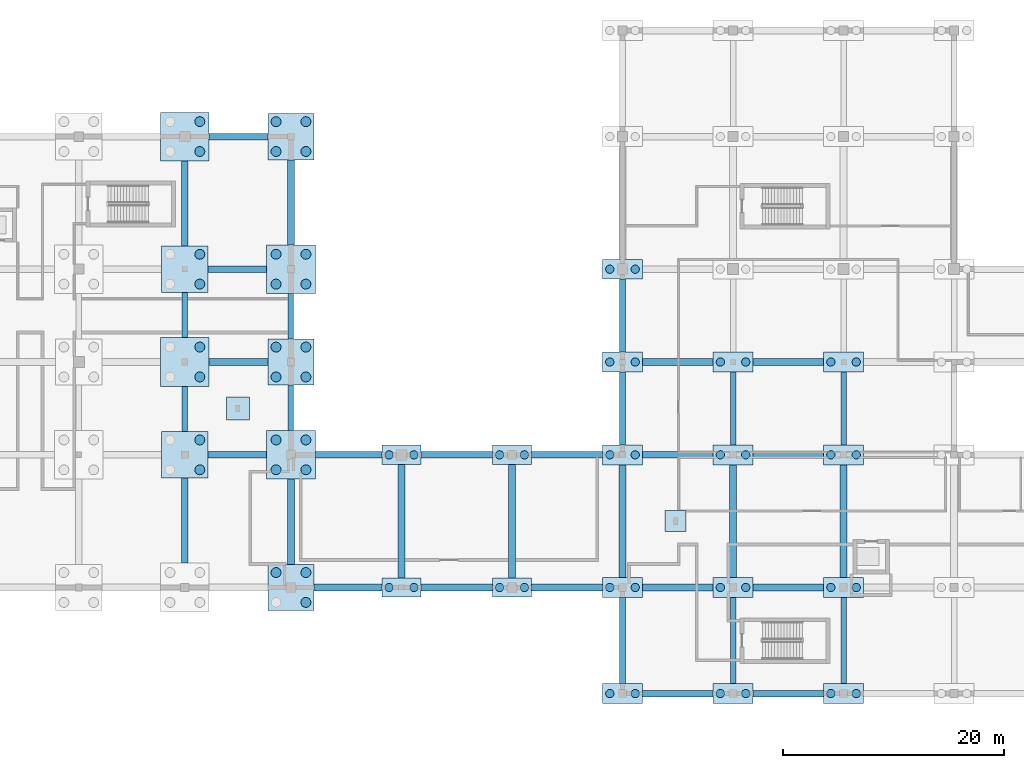
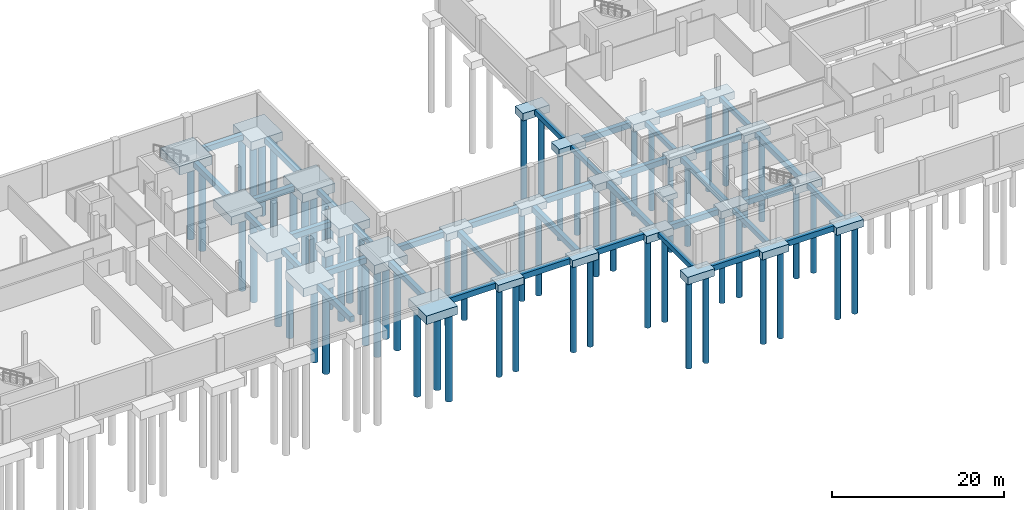
# One storey, part 4 of 28: 66 footings, 61 piles.
"""IFC4 building model written with IfcOpenShell, lengths in metres."""

from ifc_helpers import new_model, si_unit, direction, frame, origin, origin_2d, place, context, subcontext, project, spatial, rectangle, circle, extrude, material, layer, layer_set, material_profile, profile_set, type_object, element, save


model = new_model("IFC4")

# Units and contexts
model_context = context("Model", 3, precision=1e-05, world=origin(), true_north=direction((0.0, 1.0)))
body_context = subcontext(model_context, "Body", "Model", "MODEL_VIEW")
ifc_project = project(units=[si_unit("LENGTHUNIT", "METRE"), si_unit("AREAUNIT", "SQUARE_METRE"), si_unit("VOLUMEUNIT", "CUBIC_METRE"), si_unit("PLANEANGLEUNIT", "RADIAN"), si_unit("MASSUNIT", "GRAM", prefix="KILO")], contexts=[model_context])

# Site, building, storey
site_placement = place(None, origin())
site = spatial("IfcSite", under=ifc_project, at=site_placement, CompositionType="ELEMENT")
building_placement = place(site_placement, origin())
building = spatial("IfcBuilding", under=site, at=building_placement, Name="Zereglee Splitstone Museum", CompositionType="ELEMENT")
storey_placement = place(building_placement, frame((0.0, 0.0, -4.800048828125)))
storey = spatial("IfcBuildingStorey", under=building, at=storey_placement, Name="B1", CompositionType="ELEMENT", Elevation=-4.800048828125)

# Footings
ifc_material = material(Name="Concrete C40/50", Category="concrete")
footing_type_1 = type_object("IfcFootingType", Name="FB-03", PredefinedType="FOOTING_BEAM", material=ifc_material)
for number, where, z_axis, x_axis, name in (
    (1, (135.60009765625, 25.75, -1.14990234375), (0.0, 0.0, 1.0), (0.0, 1.0, 0.0), "Ground Tie Beam FBY-184"),
    (2, (135.60009765625, 34.25, -1.14990234375), (0.0, 0.0, 1.0), (0.0, 1.0, 0.0), "Ground Tie Beam FBY-185"),
    (3, (145.199951171875, 25.85009765625, -1.14990234375), (0.0, 0.0, 1.0), (0.0, 1.0, 0.0), "Ground Tie Beam FBY-188"),
    (4, (145.199951171875, 34.14990234375, -1.14990234375), (0.0, 0.0, 1.0), (0.0, 1.0, 0.0), "Ground Tie Beam FBY-189"),
):
    element("IfcFooting", number, at=place(storey_placement, frame(where, z_axis=z_axis, x_axis=x_axis)), inside=storey, type_object=footing_type_1, Name=name, PredefinedType="FOOTING_BEAM", context=body_context, shape_type="SweptSolid", body=[
        extrude(rectangle(XDim=4.10009765625, YDim=0.5, at=origin_2d()), origin(), (0.0, 0.0, 1.0), 0.699951171875),
    ])
footing_1_placement = place(storey_placement, frame((175.199951171875, 4.800048828125, -1.14990234375), z_axis=(0.0, 0.0, 1.0), x_axis=(0.0, 1.0, 0.0)))
element("IfcFooting", 5, at=footing_1_placement, inside=storey, type_object=footing_type_1, Name="Ground Tie Beam FBY-193", PredefinedType="FOOTING_BEAM", context=body_context, shape_type="SweptSolid", body=[
    extrude(rectangle(XDim=7.800048828125, YDim=0.5, at=origin_2d()), origin(), (0.0, 0.0, 1.0), 0.699951171875),
])
for number, where, z_axis, x_axis, name in (
    (6, (175.199951171875, 25.800048828125, -1.14990234375), (0.0, 0.0, 1.0), (0.0, 1.0, 0.0), "Ground Tie Beam FBY-195"),
    (7, (175.199951171875, 34.199951171875, -1.14990234375), (0.0, 0.0, 1.0), (0.0, 1.0, 0.0), "Ground Tie Beam FBY-196"),
):
    element("IfcFooting", number, at=place(storey_placement, frame(where, z_axis=z_axis, x_axis=x_axis)), inside=storey, type_object=footing_type_1, Name=name, PredefinedType="FOOTING_BEAM", context=body_context, shape_type="SweptSolid", body=[
        extrude(rectangle(XDim=6.60009765625, YDim=0.5, at=origin_2d()), origin(), (0.0, 0.0, 1.0), 0.699951171875),
    ])
footing_2_placement = place(storey_placement, frame((185.199951171875, 4.800048828125, -1.14990234375), z_axis=(0.0, 0.0, 1.0), x_axis=(0.0, 1.0, 0.0)))
element("IfcFooting", 8, at=footing_2_placement, inside=storey, type_object=footing_type_1, Name="Ground Tie Beam FBY-199", PredefinedType="FOOTING_BEAM", context=body_context, shape_type="SweptSolid", body=[
    extrude(rectangle(XDim=7.800048828125, YDim=0.5, at=origin_2d()), origin(), (0.0, 0.0, 1.0), 0.699951171875),
])
footing_3_placement = place(storey_placement, frame((185.199951171875, 25.800048828125, -1.14990234375), z_axis=(0.0, 0.0, 1.0), x_axis=(0.0, 1.0, 0.0)))
element("IfcFooting", 9, at=footing_3_placement, inside=storey, type_object=footing_type_1, Name="Ground Tie Beam FBY-201", PredefinedType="FOOTING_BEAM", context=body_context, shape_type="SweptSolid", body=[
    extrude(rectangle(XDim=6.60009765625, YDim=0.5, at=origin_2d()), origin(), (0.0, 0.0, 1.0), 0.699951171875),
])
footing_4_placement = place(storey_placement, frame((195.199951171875, 4.800048828125, -1.14990234375), z_axis=(0.0, 0.0, 1.0), x_axis=(0.0, 1.0, 0.0)))
element("IfcFooting", 10, at=footing_4_placement, inside=storey, type_object=footing_type_1, Name="Ground Tie Beam FBY-205", PredefinedType="FOOTING_BEAM", context=body_context, shape_type="SweptSolid", body=[
    extrude(rectangle(XDim=7.800048828125, YDim=0.5, at=origin_2d()), origin(), (0.0, 0.0, 1.0), 0.699951171875),
])
footing_5_placement = place(storey_placement, frame((195.199951171875, 25.800048828125, -1.14990234375), z_axis=(0.0, 0.0, 1.0), x_axis=(0.0, 1.0, 0.0)))
element("IfcFooting", 11, at=footing_5_placement, inside=storey, type_object=footing_type_1, Name="Ground Tie Beam FBY-207", PredefinedType="FOOTING_BEAM", context=body_context, shape_type="SweptSolid", body=[
    extrude(rectangle(XDim=6.60009765625, YDim=0.5, at=origin_2d()), origin(), (0.0, 0.0, 1.0), 0.699951171875),
])
footing_type_2 = type_object("IfcFootingType", Name="FB-02", PredefinedType="FOOTING_BEAM", material=ifc_material)
for number, where, z_axis, x_axis, name in (
    (12, (180.199951171875, 0.0, -1.25), (0.0, 0.0, 1.0), (1.0, 0.0, 0.0), "Ground Tie Beam FBX-005"),
    (13, (190.199951171875, 0.0, -1.25), (0.0, 0.0, 1.0), (1.0, 0.0, 0.0), "Ground Tie Beam FBX-006"),
):
    element("IfcFooting", number, at=place(storey_placement, frame(where, z_axis=z_axis, x_axis=x_axis)), inside=storey, type_object=footing_type_2, Name=name, PredefinedType="FOOTING_BEAM", context=body_context, shape_type="SweptSolid", body=[
        extrude(rectangle(XDim=6.39990234375, YDim=0.60009765625, at=origin_2d()), origin(), (0.0, 0.0, 1.0), 0.800048828125),
    ])
footing_6_placement = place(storey_placement, frame((150.375, 9.60009765625, -1.25), z_axis=(0.0, 0.0, 1.0), x_axis=(1.0, 0.0, 0.0)))
element("IfcFooting", 14, at=footing_6_placement, inside=storey, type_object=footing_type_2, Name="Ground Tie Beam FBX-026", PredefinedType="FOOTING_BEAM", context=body_context, shape_type="SweptSolid", body=[
    extrude(rectangle(XDim=6.14990234375, YDim=0.60009765625, at=origin_2d()), origin(), (0.0, 0.0, 1.0), 0.800048828125),
])
footing_7_placement = place(storey_placement, frame((160.199951171875, 9.60009765625, -1.25), z_axis=(0.0, 0.0, 1.0), x_axis=(1.0, 0.0, 0.0)))
element("IfcFooting", 15, at=footing_7_placement, inside=storey, type_object=footing_type_2, Name="Ground Tie Beam FBX-027", PredefinedType="FOOTING_BEAM", context=body_context, shape_type="SweptSolid", body=[
    extrude(rectangle(XDim=6.5, YDim=0.60009765625, at=origin_2d()), origin(), (0.0, 0.0, 1.0), 0.800048828125),
])
footing_8_placement = place(storey_placement, frame((170.175048828125, 9.60009765625, -1.25), z_axis=(0.0, 0.0, 1.0), x_axis=(1.0, 0.0, 0.0)))
element("IfcFooting", 16, at=footing_8_placement, inside=storey, type_object=footing_type_2, Name="Ground Tie Beam FBX-028", PredefinedType="FOOTING_BEAM", context=body_context, shape_type="SweptSolid", body=[
    extrude(rectangle(XDim=6.449951171875, YDim=0.60009765625, at=origin_2d()), origin(), (0.0, 0.0, 1.0), 0.800048828125),
])
for number, where, z_axis, x_axis, name in (
    (17, (180.199951171875, 9.60009765625, -1.25), (0.0, 0.0, 1.0), (1.0, 0.0, 0.0), "Ground Tie Beam FBX-029"),
    (18, (190.199951171875, 9.60009765625, -1.25), (0.0, 0.0, 1.0), (1.0, 0.0, 0.0), "Ground Tie Beam FBX-030"),
):
    element("IfcFooting", number, at=place(storey_placement, frame(where, z_axis=z_axis, x_axis=x_axis)), inside=storey, type_object=footing_type_2, Name=name, PredefinedType="FOOTING_BEAM", context=body_context, shape_type="SweptSolid", body=[
        extrude(rectangle(XDim=6.39990234375, YDim=0.60009765625, at=origin_2d()), origin(), (0.0, 0.0, 1.0), 0.800048828125),
    ])
footing_9_placement = place(storey_placement, frame((140.35009765625, 21.60009765625, -1.25), z_axis=(0.0, 0.0, 1.0), x_axis=(1.0, 0.0, 0.0)))
element("IfcFooting", 19, at=footing_9_placement, inside=storey, type_object=footing_type_2, Name="Ground Tie Beam FBX-046", PredefinedType="FOOTING_BEAM", context=body_context, shape_type="SweptSolid", body=[
    extrude(rectangle(XDim=5.300048828125, YDim=0.60009765625, at=origin_2d()), origin(), (0.0, 0.0, 1.0), 0.800048828125),
])
footing_10_placement = place(storey_placement, frame((150.425048828125, 21.60009765625, -1.25), z_axis=(0.0, 0.0, 1.0), x_axis=(1.0, 0.0, 0.0)))
element("IfcFooting", 20, at=footing_10_placement, inside=storey, type_object=footing_type_2, Name="Ground Tie Beam FBX-047", PredefinedType="FOOTING_BEAM", context=body_context, shape_type="SweptSolid", body=[
    extrude(rectangle(XDim=6.050048828125, YDim=0.60009765625, at=origin_2d()), origin(), (0.0, 0.0, 1.0), 0.800048828125),
])
footing_11_placement = place(storey_placement, frame((160.199951171875, 21.60009765625, -1.25), z_axis=(0.0, 0.0, 1.0), x_axis=(1.0, 0.0, 0.0)))
element("IfcFooting", 21, at=footing_11_placement, inside=storey, type_object=footing_type_2, Name="Ground Tie Beam FBX-048", PredefinedType="FOOTING_BEAM", context=body_context, shape_type="SweptSolid", body=[
    extrude(rectangle(XDim=6.5, YDim=0.60009765625, at=origin_2d()), origin(), (0.0, 0.0, 1.0), 0.800048828125),
])
footing_12_placement = place(storey_placement, frame((170.175048828125, 21.60009765625, -1.25), z_axis=(0.0, 0.0, 1.0), x_axis=(1.0, 0.0, 0.0)))
element("IfcFooting", 22, at=footing_12_placement, inside=storey, type_object=footing_type_2, Name="Ground Tie Beam FBX-049", PredefinedType="FOOTING_BEAM", context=body_context, shape_type="SweptSolid", body=[
    extrude(rectangle(XDim=6.449951171875, YDim=0.60009765625, at=origin_2d()), origin(), (0.0, 0.0, 1.0), 0.800048828125),
])
for number, where, z_axis, x_axis, name in (
    (23, (180.199951171875, 21.60009765625, -1.25), (0.0, 0.0, 1.0), (1.0, 0.0, 0.0), "Ground Tie Beam FBX-050"),
    (24, (190.199951171875, 21.60009765625, -1.25), (0.0, 0.0, 1.0), (1.0, 0.0, 0.0), "Ground Tie Beam FBX-051"),
):
    element("IfcFooting", number, at=place(storey_placement, frame(where, z_axis=z_axis, x_axis=x_axis)), inside=storey, type_object=footing_type_2, Name=name, PredefinedType="FOOTING_BEAM", context=body_context, shape_type="SweptSolid", body=[
        extrude(rectangle(XDim=6.39990234375, YDim=0.60009765625, at=origin_2d()), origin(), (0.0, 0.0, 1.0), 0.800048828125),
    ])
footing_13_placement = place(storey_placement, frame((140.449951171875, 30.0, -1.25), z_axis=(0.0, 0.0, 1.0), x_axis=(1.0, 0.0, 0.0)))
element("IfcFooting", 25, at=footing_13_placement, inside=storey, type_object=footing_type_2, Name="Ground Tie Beam FBX-072", PredefinedType="FOOTING_BEAM", context=body_context, shape_type="SweptSolid", body=[
    extrude(rectangle(XDim=5.300048828125, YDim=0.60009765625, at=origin_2d()), origin(), (0.0, 0.0, 1.0), 0.800048828125),
])
for number, where, z_axis, x_axis, name in (
    (26, (180.199951171875, 30.0, -1.25), (0.0, 0.0, 1.0), (1.0, 0.0, 0.0), "Ground Tie Beam FBX-073"),
    (27, (190.199951171875, 30.0, -1.25), (0.0, 0.0, 1.0), (1.0, 0.0, 0.0), "Ground Tie Beam FBX-074"),
):
    element("IfcFooting", number, at=place(storey_placement, frame(where, z_axis=z_axis, x_axis=x_axis)), inside=storey, type_object=footing_type_2, Name=name, PredefinedType="FOOTING_BEAM", context=body_context, shape_type="SweptSolid", body=[
        extrude(rectangle(XDim=6.39990234375, YDim=0.60009765625, at=origin_2d()), origin(), (0.0, 0.0, 1.0), 0.800048828125),
    ])
for number, where, z_axis, x_axis, name in (
    (28, (140.35009765625, 38.39990234375, -1.25), (0.0, 0.0, 1.0), (1.0, 0.0, 0.0), "Ground Tie Beam FBX-102"),
    (29, (140.449951171875, 50.39990234375, -1.25), (0.0, 0.0, 1.0), (1.0, 0.0, 0.0), "Ground Tie Beam FBX-125"),
):
    element("IfcFooting", number, at=place(storey_placement, frame(where, z_axis=z_axis, x_axis=x_axis)), inside=storey, type_object=footing_type_2, Name=name, PredefinedType="FOOTING_BEAM", context=body_context, shape_type="SweptSolid", body=[
        extrude(rectangle(XDim=5.300048828125, YDim=0.60009765625, at=origin_2d()), origin(), (0.0, 0.0, 1.0), 0.800048828125),
    ])
for number, where, z_axis, x_axis, name in (
    (30, (135.60009765625, 15.64990234375, -1.25), (0.0, 0.0, 1.0), (0.0, 1.0, 0.0), "Ground Tie Beam FBY-183"),
    (31, (135.60009765625, 44.35009765625, -1.25), (0.0, 0.0, 1.0), (0.0, 1.0, 0.0), "Ground Tie Beam FBY-186"),
    (32, (145.199951171875, 15.550048828125, -1.25), (0.0, 0.0, 1.0), (0.0, 1.0, 0.0), "Ground Tie Beam FBY-187"),
    (33, (145.199951171875, 44.449951171875, -1.25), (0.0, 0.0, 1.0), (0.0, 1.0, 0.0), "Ground Tie Beam FBY-190"),
):
    element("IfcFooting", number, at=place(storey_placement, frame(where, z_axis=z_axis, x_axis=x_axis)), inside=storey, type_object=footing_type_2, Name=name, PredefinedType="FOOTING_BEAM", context=body_context, shape_type="SweptSolid", body=[
        extrude(rectangle(XDim=7.699951171875, YDim=0.60009765625, at=origin_2d()), origin(), (0.0, 0.0, 1.0), 0.800048828125),
    ])
for number, where, z_axis, x_axis, name in (
    (34, (155.199951171875, 15.60009765625, -1.25), (0.0, 0.0, 1.0), (0.0, 1.0, 0.0), "Ground Tie Beam FBY-191"),
    (35, (165.199951171875, 15.60009765625, -1.25), (0.0, 0.0, 1.0), (0.0, 1.0, 0.0), "Ground Tie Beam FBY-192"),
):
    element("IfcFooting", number, at=place(storey_placement, frame(where, z_axis=z_axis, x_axis=x_axis)), inside=storey, type_object=footing_type_2, Name=name, PredefinedType="FOOTING_BEAM", context=body_context, shape_type="SweptSolid", body=[
        extrude(rectangle(XDim=10.25, YDim=0.60009765625, at=origin_2d()), origin(), (0.0, 0.0, 1.0), 0.800048828125),
    ])
for number, where, z_axis, x_axis, name in (
    (36, (175.199951171875, 15.60009765625, -1.25), (0.0, 0.0, 1.0), (0.0, 1.0, 0.0), "Ground Tie Beam FBY-194"),
    (37, (185.199951171875, 15.60009765625, -1.25), (0.0, 0.0, 1.0), (0.0, 1.0, 0.0), "Ground Tie Beam FBY-200"),
    (38, (195.199951171875, 15.60009765625, -1.25), (0.0, 0.0, 1.0), (0.0, 1.0, 0.0), "Ground Tie Beam FBY-206"),
):
    element("IfcFooting", number, at=place(storey_placement, frame(where, z_axis=z_axis, x_axis=x_axis)), inside=storey, type_object=footing_type_2, Name=name, PredefinedType="FOOTING_BEAM", context=body_context, shape_type="SweptSolid", body=[
        extrude(rectangle(XDim=10.199951171875, YDim=0.60009765625, at=origin_2d()), origin(), (0.0, 0.0, 1.0), 0.800048828125),
    ])
ifc_layer_1 = layer(ifc_material, 0.75)
ifc_layer_set_1 = layer_set([ifc_layer_1], Name="Concrete C40/50")
footing_type_3 = type_object("IfcFootingType", Name="PF-02", PredefinedType="PAD_FOOTING", material=ifc_layer_set_1)
footing_14_placement = place(storey_placement, frame((180.0, 15.60009765625, -1.199951171875), z_axis=(0.0, 0.0, 1.0), x_axis=(1.0, 0.0, 0.0)))
element("IfcFooting", 39, at=footing_14_placement, inside=storey, type_object=footing_type_3, Name="Interior Portal Pilaster Pad Footing PF5", PredefinedType="PAD_FOOTING", context=body_context, shape_type="SweptSolid", body=[
    extrude(rectangle(XDim=1.89990234375, YDim=1.89990234375, at=origin_2d()), origin(), (0.0, 0.0, 1.0), 0.75),
])
ifc_layer_2 = layer(ifc_material, 0.85009765625)
ifc_layer_set_2 = layer_set([ifc_layer_2], Name="Concrete C40/50")
footing_type_4 = type_object("IfcFootingType", Name="PF-01", PredefinedType="PAD_FOOTING", material=ifc_layer_set_2)
footing_15_placement = place(storey_placement, frame((140.39990234375, 25.800048828125, -1.300048828125), z_axis=(0.0, 0.0, 1.0), x_axis=(1.0, 0.0, 0.0)))
element("IfcFooting", 40, at=footing_15_placement, inside=storey, type_object=footing_type_4, Name="Interior Portal Pilaster Pad Footing PF4", PredefinedType="PAD_FOOTING", context=body_context, shape_type="SweptSolid", body=[
    extrude(rectangle(XDim=2.10009765625, YDim=2.10009765625, at=origin_2d()), origin(), (0.0, 0.0, 1.0), 0.85009765625),
])
ifc_layer_3 = layer(ifc_material, 1.0)
ifc_layer_set_3 = layer_set([ifc_layer_3], Name="Concrete C40/50")
footing_type_5 = type_object("IfcFootingType", Name="PC-08", PredefinedType="PILE_CAP", material=ifc_layer_set_3)
for number, where, z_axis, x_axis, name in (
    (41, (155.199951171875, 9.60009765625, -1.449951171875), (0.0, 0.0, 1.0), (1.0, 0.0, 0.0), "Pile Cap at (155.2, 9.6)"),
    (42, (155.199951171875, 21.60009765625, -1.449951171875), (0.0, 0.0, 1.0), (1.0, 0.0, 0.0), "Pile Cap at (155.2, 21.6)"),
    (43, (165.199951171875, 9.60009765625, -1.449951171875), (0.0, 0.0, 1.0), (1.0, 0.0, 0.0), "Pile Cap at (165.2, 9.6)"),
    (44, (165.199951171875, 21.60009765625, -1.449951171875), (0.0, 0.0, 1.0), (1.0, 0.0, 0.0), "Pile Cap at (165.2, 21.6)"),
):
    element("IfcFooting", number, at=place(storey_placement, frame(where, z_axis=z_axis, x_axis=x_axis)), inside=storey, type_object=footing_type_5, Name=name, PredefinedType="PILE_CAP", context=body_context, shape_type="SweptSolid", body=[
        extrude(rectangle(XDim=3.5, YDim=1.75, at=origin_2d()), origin(), (0.0, 0.0, 1.0), 1.0),
    ])
ifc_layer_4 = layer(ifc_material, 1.050048828125)
ifc_layer_set_4 = layer_set([ifc_layer_4], Name="Concrete C40/50")
footing_type_6 = type_object("IfcFootingType", Name="PC-07", PredefinedType="PILE_CAP", material=ifc_layer_set_4)
for number, where, z_axis, x_axis, name in (
    (45, (175.199951171875, 0.0, -1.5), (0.0, 0.0, 1.0), (1.0, 0.0, 0.0), "Pile Cap at (175.2, 0.0)"),
    (46, (175.199951171875, 9.60009765625, -1.5), (0.0, 0.0, 1.0), (1.0, 0.0, 0.0), "Pile Cap at (175.2, 9.6)"),
    (47, (175.199951171875, 21.60009765625, -1.5), (0.0, 0.0, 1.0), (1.0, 0.0, 0.0), "Pile Cap at (175.2, 21.6)"),
    (48, (175.199951171875, 30.0, -1.5), (0.0, 0.0, 1.0), (1.0, 0.0, 0.0), "Pile Cap at (175.2, 30.0)"),
    (49, (175.199951171875, 38.39990234375, -1.5), (0.0, 0.0, 1.0), (1.0, 0.0, 0.0), "Pile Cap at (175.2, 38.4)"),
    (50, (185.199951171875, 0.0, -1.5), (0.0, 0.0, 1.0), (1.0, 0.0, 0.0), "Pile Cap at (185.2, 0.0)"),
    (51, (185.199951171875, 9.60009765625, -1.5), (0.0, 0.0, 1.0), (1.0, 0.0, 0.0), "Pile Cap at (185.2, 9.6)"),
    (52, (185.199951171875, 21.60009765625, -1.5), (0.0, 0.0, 1.0), (1.0, 0.0, 0.0), "Pile Cap at (185.2, 21.6)"),
    (53, (185.199951171875, 30.0, -1.5), (0.0, 0.0, 1.0), (1.0, 0.0, 0.0), "Pile Cap at (185.2, 30.0)"),
    (54, (195.199951171875, 0.0, -1.5), (0.0, 0.0, 1.0), (1.0, 0.0, 0.0), "Pile Cap at (195.2, 0.0)"),
    (55, (195.199951171875, 9.60009765625, -1.5), (0.0, 0.0, 1.0), (1.0, 0.0, 0.0), "Pile Cap at (195.2, 9.6)"),
    (56, (195.199951171875, 21.60009765625, -1.5), (0.0, 0.0, 1.0), (1.0, 0.0, 0.0), "Pile Cap at (195.2, 21.6)"),
    (57, (195.199951171875, 30.0, -1.5), (0.0, 0.0, 1.0), (1.0, 0.0, 0.0), "Pile Cap at (195.2, 30.0)"),
):
    element("IfcFooting", number, at=place(storey_placement, frame(where, z_axis=z_axis, x_axis=x_axis)), inside=storey, type_object=footing_type_6, Name=name, PredefinedType="PILE_CAP", context=body_context, shape_type="SweptSolid", body=[
        extrude(rectangle(XDim=3.60009765625, YDim=1.800048828125, at=origin_2d()), origin(), (0.0, 0.0, 1.0), 1.050048828125),
    ])
ifc_layer_5 = layer(ifc_material, 1.199951171875)
ifc_layer_set_5 = layer_set([ifc_layer_5], Name="Concrete C40/50")
footing_type_7 = type_object("IfcFootingType", Name="PC-05", PredefinedType="PILE_CAP", material=ifc_layer_set_5)
for number, where, z_axis, x_axis, name in (
    (58, (135.60009765625, 21.60009765625, -1.64990234375), (0.0, 0.0, 1.0), (1.0, 0.0, 0.0), "Pile Cap at (135.6, 21.6)"),
    (59, (135.60009765625, 38.39990234375, -1.64990234375), (0.0, 0.0, 1.0), (1.0, 0.0, 0.0), "Pile Cap at (135.6, 38.4)"),
    (60, (145.199951171875, 9.60009765625, -1.64990234375), (0.0, 0.0, 1.0), (1.0, 0.0, 0.0), "Pile Cap at (145.2, 9.6)"),
    (61, (145.199951171875, 30.0, -1.64990234375), (0.0, 0.0, 1.0), (1.0, 0.0, 0.0), "Pile Cap at (145.2, 30.0)"),
    (62, (145.199951171875, 50.39990234375, -1.64990234375), (0.0, 0.0, 1.0), (1.0, 0.0, 0.0), "Pile Cap at (145.2, 50.4)"),
):
    element("IfcFooting", number, at=place(storey_placement, frame(where, z_axis=z_axis, x_axis=x_axis)), inside=storey, type_object=footing_type_7, Name=name, PredefinedType="PILE_CAP", context=body_context, shape_type="SweptSolid", body=[
        extrude(rectangle(XDim=4.199951171875, YDim=4.199951171875, at=origin_2d()), origin(), (0.0, 0.0, 1.0), 1.199951171875),
    ])
ifc_layer_6 = layer(ifc_material, 1.25)
ifc_layer_set_6 = layer_set([ifc_layer_6], Name="Concrete C40/50")
footing_type_8 = type_object("IfcFootingType", Name="PC-04", PredefinedType="PILE_CAP", material=ifc_layer_set_6)
for number, where, z_axis, x_axis, name in (
    (63, (135.60009765625, 30.0, -1.699951171875), (0.0, 0.0, 1.0), (1.0, 0.0, 0.0), "Pile Cap at (135.6, 30.0)"),
    (64, (135.60009765625, 50.39990234375, -1.699951171875), (0.0, 0.0, 1.0), (1.0, 0.0, 0.0), "Pile Cap at (135.6, 50.4)"),
    (65, (145.199951171875, 21.60009765625, -1.699951171875), (0.0, 0.0, 1.0), (1.0, 0.0, 0.0), "Pile Cap at (145.2, 21.6)"),
    (66, (145.199951171875, 38.39990234375, -1.699951171875), (0.0, 0.0, 1.0), (1.0, 0.0, 0.0), "Pile Cap at (145.2, 38.4)"),
):
    element("IfcFooting", number, at=place(storey_placement, frame(where, z_axis=z_axis, x_axis=x_axis)), inside=storey, type_object=footing_type_8, Name=name, PredefinedType="PILE_CAP", context=body_context, shape_type="SweptSolid", body=[
        extrude(rectangle(XDim=4.39990234375, YDim=4.39990234375, at=origin_2d()), origin(), (0.0, 0.0, 1.0), 1.25),
    ])

# Piles
ifc_material_profile_1 = material_profile(ifc_material, circle(Radius=0.375, at=origin_2d()), Name="PILE D750")
ifc_profile_set_1 = profile_set([ifc_material_profile_1], Name="Concrete C40/50")
pile_type_1 = type_object("IfcPileType", Name="PL-D07", PredefinedType="BORED", material=ifc_profile_set_1)
for number, where, z_axis, x_axis, name in (
    (67, (154.074951171875, 9.60009765625, -1.349853515625), (0.0, 0.0, -1.0), (1.0, 0.0, 0.0), "Bored Pile 1552-96-1"),
    (68, (156.324951171875, 9.60009765625, -1.349853515625), (0.0, 0.0, -1.0), (1.0, 0.0, 0.0), "Bored Pile 1552-96-2"),
    (69, (154.074951171875, 21.60009765625, -1.349853515625), (0.0, 0.0, -1.0), (1.0, 0.0, 0.0), "Bored Pile 1552-216-1"),
    (70, (156.324951171875, 21.60009765625, -1.349853515625), (0.0, 0.0, -1.0), (1.0, 0.0, 0.0), "Bored Pile 1552-216-2"),
    (71, (164.074951171875, 9.60009765625, -1.349853515625), (0.0, 0.0, -1.0), (1.0, 0.0, 0.0), "Bored Pile 1652-96-1"),
    (72, (166.324951171875, 9.60009765625, -1.349853515625), (0.0, 0.0, -1.0), (1.0, 0.0, 0.0), "Bored Pile 1652-96-2"),
    (73, (164.074951171875, 21.60009765625, -1.349853515625), (0.0, 0.0, -1.0), (1.0, 0.0, 0.0), "Bored Pile 1652-216-1"),
    (74, (166.324951171875, 21.60009765625, -1.349853515625), (0.0, 0.0, -1.0), (1.0, 0.0, 0.0), "Bored Pile 1652-216-2"),
):
    element("IfcPile", number, at=place(storey_placement, frame(where, z_axis=z_axis, x_axis=x_axis)), inside=storey, type_object=pile_type_1, Name=name, PredefinedType="BORED", context=body_context, shape_type="SweptSolid", body=[
        extrude(circle(Radius=0.375, at=origin_2d()), origin(), (0.0, 0.0, 1.0), 12.64990234375),
    ])
for number, where, z_axis, x_axis, name in (
    (75, (174.050048828125, 0.0, -1.39990234375), (0.0, 0.0, -1.0), (1.0, 0.0, 0.0), "Bored Pile 1752-0-1"),
    (76, (176.35009765625, 0.0, -1.39990234375), (0.0, 0.0, -1.0), (1.0, 0.0, 0.0), "Bored Pile 1752-0-2"),
    (77, (174.050048828125, 9.60009765625, -1.39990234375), (0.0, 0.0, -1.0), (1.0, 0.0, 0.0), "Bored Pile 1752-96-1"),
    (78, (176.35009765625, 9.60009765625, -1.39990234375), (0.0, 0.0, -1.0), (1.0, 0.0, 0.0), "Bored Pile 1752-96-2"),
    (79, (174.050048828125, 21.60009765625, -1.39990234375), (0.0, 0.0, -1.0), (1.0, 0.0, 0.0), "Bored Pile 1752-216-1"),
    (80, (176.35009765625, 21.60009765625, -1.39990234375), (0.0, 0.0, -1.0), (1.0, 0.0, 0.0), "Bored Pile 1752-216-2"),
    (81, (174.050048828125, 30.0, -1.39990234375), (0.0, 0.0, -1.0), (1.0, 0.0, 0.0), "Bored Pile 1752-300-1"),
    (82, (176.35009765625, 30.0, -1.39990234375), (0.0, 0.0, -1.0), (1.0, 0.0, 0.0), "Bored Pile 1752-300-2"),
    (83, (174.050048828125, 38.39990234375, -1.39990234375), (0.0, 0.0, -1.0), (1.0, 0.0, 0.0), "Bored Pile 1752-384-1"),
    (84, (176.35009765625, 38.39990234375, -1.39990234375), (0.0, 0.0, -1.0), (1.0, 0.0, 0.0), "Bored Pile 1752-384-2"),
    (85, (184.050048828125, 0.0, -1.39990234375), (0.0, 0.0, -1.0), (1.0, 0.0, 0.0), "Bored Pile 1852-0-1"),
    (86, (186.35009765625, 0.0, -1.39990234375), (0.0, 0.0, -1.0), (1.0, 0.0, 0.0), "Bored Pile 1852-0-2"),
    (87, (184.050048828125, 9.60009765625, -1.39990234375), (0.0, 0.0, -1.0), (1.0, 0.0, 0.0), "Bored Pile 1852-96-1"),
    (88, (186.35009765625, 9.60009765625, -1.39990234375), (0.0, 0.0, -1.0), (1.0, 0.0, 0.0), "Bored Pile 1852-96-2"),
    (89, (184.050048828125, 21.60009765625, -1.39990234375), (0.0, 0.0, -1.0), (1.0, 0.0, 0.0), "Bored Pile 1852-216-1"),
    (90, (186.35009765625, 21.60009765625, -1.39990234375), (0.0, 0.0, -1.0), (1.0, 0.0, 0.0), "Bored Pile 1852-216-2"),
    (91, (184.050048828125, 30.0, -1.39990234375), (0.0, 0.0, -1.0), (1.0, 0.0, 0.0), "Bored Pile 1852-300-1"),
    (92, (186.35009765625, 30.0, -1.39990234375), (0.0, 0.0, -1.0), (1.0, 0.0, 0.0), "Bored Pile 1852-300-2"),
    (93, (194.050048828125, 0.0, -1.39990234375), (0.0, 0.0, -1.0), (1.0, 0.0, 0.0), "Bored Pile 1952-0-1"),
    (94, (196.35009765625, 0.0, -1.39990234375), (0.0, 0.0, -1.0), (1.0, 0.0, 0.0), "Bored Pile 1952-0-2"),
    (95, (194.050048828125, 9.60009765625, -1.39990234375), (0.0, 0.0, -1.0), (1.0, 0.0, 0.0), "Bored Pile 1952-96-1"),
    (96, (196.35009765625, 9.60009765625, -1.39990234375), (0.0, 0.0, -1.0), (1.0, 0.0, 0.0), "Bored Pile 1952-96-2"),
    (97, (194.050048828125, 21.60009765625, -1.39990234375), (0.0, 0.0, -1.0), (1.0, 0.0, 0.0), "Bored Pile 1952-216-1"),
    (98, (196.35009765625, 21.60009765625, -1.39990234375), (0.0, 0.0, -1.0), (1.0, 0.0, 0.0), "Bored Pile 1952-216-2"),
    (99, (194.050048828125, 30.0, -1.39990234375), (0.0, 0.0, -1.0), (1.0, 0.0, 0.0), "Bored Pile 1952-300-1"),
    (100, (196.35009765625, 30.0, -1.39990234375), (0.0, 0.0, -1.0), (1.0, 0.0, 0.0), "Bored Pile 1952-300-2"),
):
    element("IfcPile", number, at=place(storey_placement, frame(where, z_axis=z_axis, x_axis=x_axis)), inside=storey, type_object=pile_type_1, Name=name, PredefinedType="BORED", context=body_context, shape_type="SweptSolid", body=[
        extrude(circle(Radius=0.375, at=origin_2d()), origin(), (0.0, 0.0, 1.0), 12.60009765625),
    ])
ifc_material_profile_2 = material_profile(ifc_material, circle(Radius=0.449951171875, at=origin_2d()), Name="PILE D900")
ifc_profile_set_2 = profile_set([ifc_material_profile_2], Name="Concrete C40/50")
pile_type_2 = type_object("IfcPileType", Name="PL-D09", PredefinedType="BORED", material=ifc_profile_set_2)
for number, where, z_axis, x_axis, name in (
    (101, (136.949951171875, 20.25, -1.550048828125), (0.0, 0.0, -1.0), (1.0, 0.0, 0.0), "Bored Pile 1356-216-2"),
    (102, (136.949951171875, 22.949951171875, -1.550048828125), (0.0, 0.0, -1.0), (1.0, 0.0, 0.0), "Bored Pile 1356-216-4"),
):
    element("IfcPile", number, at=place(storey_placement, frame(where, z_axis=z_axis, x_axis=x_axis)), inside=storey, type_object=pile_type_2, Name=name, PredefinedType="BORED", context=body_context, shape_type="SweptSolid", body=[
        extrude(circle(Radius=0.449951171875, at=origin_2d()), origin(), (0.0, 0.0, 1.0), 12.449951171875),
    ])
for number, where, z_axis, x_axis, name in (
    (103, (136.949951171875, 28.64990234375, -1.599853515625), (0.0, 0.0, -1.0), (1.0, 0.0, 0.0), "Bored Pile 1356-300-2"),
    (104, (136.949951171875, 31.35009765625, -1.599853515625), (0.0, 0.0, -1.0), (1.0, 0.0, 0.0), "Bored Pile 1356-300-4"),
):
    element("IfcPile", number, at=place(storey_placement, frame(where, z_axis=z_axis, x_axis=x_axis)), inside=storey, type_object=pile_type_2, Name=name, PredefinedType="BORED", context=body_context, shape_type="SweptSolid", body=[
        extrude(circle(Radius=0.449951171875, at=origin_2d()), origin(), (0.0, 0.0, 1.0), 12.39990234375),
    ])
for number, where, z_axis, x_axis, name in (
    (105, (136.949951171875, 37.050048828125, -1.550048828125), (0.0, 0.0, -1.0), (1.0, 0.0, 0.0), "Bored Pile 1356-384-2"),
    (106, (136.949951171875, 39.75, -1.550048828125), (0.0, 0.0, -1.0), (1.0, 0.0, 0.0), "Bored Pile 1356-384-4"),
):
    element("IfcPile", number, at=place(storey_placement, frame(where, z_axis=z_axis, x_axis=x_axis)), inside=storey, type_object=pile_type_2, Name=name, PredefinedType="BORED", context=body_context, shape_type="SweptSolid", body=[
        extrude(circle(Radius=0.449951171875, at=origin_2d()), origin(), (0.0, 0.0, 1.0), 12.449951171875),
    ])
for number, where, z_axis, x_axis, name in (
    (107, (136.949951171875, 49.050048828125, -1.599853515625), (0.0, 0.0, -1.0), (1.0, 0.0, 0.0), "Bored Pile 1356-504-2"),
    (108, (136.949951171875, 51.75, -1.599853515625), (0.0, 0.0, -1.0), (1.0, 0.0, 0.0), "Bored Pile 1356-504-4"),
):
    element("IfcPile", number, at=place(storey_placement, frame(where, z_axis=z_axis, x_axis=x_axis)), inside=storey, type_object=pile_type_2, Name=name, PredefinedType="BORED", context=body_context, shape_type="SweptSolid", body=[
        extrude(circle(Radius=0.449951171875, at=origin_2d()), origin(), (0.0, 0.0, 1.0), 12.39990234375),
    ])
for number, where, z_axis, x_axis, name in (
    (109, (146.550048828125, 8.25, -1.550048828125), (0.0, 0.0, -1.0), (1.0, 0.0, 0.0), "Bored Pile 1452-96-2"),
    (110, (143.85009765625, 10.949951171875, -1.550048828125), (0.0, 0.0, -1.0), (1.0, 0.0, 0.0), "Bored Pile 1452-96-3"),
    (111, (146.550048828125, 10.949951171875, -1.550048828125), (0.0, 0.0, -1.0), (1.0, 0.0, 0.0), "Bored Pile 1452-96-4"),
):
    element("IfcPile", number, at=place(storey_placement, frame(where, z_axis=z_axis, x_axis=x_axis)), inside=storey, type_object=pile_type_2, Name=name, PredefinedType="BORED", context=body_context, shape_type="SweptSolid", body=[
        extrude(circle(Radius=0.449951171875, at=origin_2d()), origin(), (0.0, 0.0, 1.0), 12.449951171875),
    ])
for number, where, z_axis, x_axis, name in (
    (112, (143.85009765625, 20.25, -1.599853515625), (0.0, 0.0, -1.0), (1.0, 0.0, 0.0), "Bored Pile 1452-216-1"),
    (113, (146.550048828125, 20.25, -1.599853515625), (0.0, 0.0, -1.0), (1.0, 0.0, 0.0), "Bored Pile 1452-216-2"),
    (114, (143.85009765625, 22.949951171875, -1.599853515625), (0.0, 0.0, -1.0), (1.0, 0.0, 0.0), "Bored Pile 1452-216-3"),
    (115, (146.550048828125, 22.949951171875, -1.599853515625), (0.0, 0.0, -1.0), (1.0, 0.0, 0.0), "Bored Pile 1452-216-4"),
):
    element("IfcPile", number, at=place(storey_placement, frame(where, z_axis=z_axis, x_axis=x_axis)), inside=storey, type_object=pile_type_2, Name=name, PredefinedType="BORED", context=body_context, shape_type="SweptSolid", body=[
        extrude(circle(Radius=0.449951171875, at=origin_2d()), origin(), (0.0, 0.0, 1.0), 12.39990234375),
    ])
for number, where, z_axis, x_axis, name in (
    (116, (143.85009765625, 28.64990234375, -1.550048828125), (0.0, 0.0, -1.0), (1.0, 0.0, 0.0), "Bored Pile 1452-300-1"),
    (117, (146.550048828125, 28.64990234375, -1.550048828125), (0.0, 0.0, -1.0), (1.0, 0.0, 0.0), "Bored Pile 1452-300-2"),
    (118, (143.85009765625, 31.35009765625, -1.550048828125), (0.0, 0.0, -1.0), (1.0, 0.0, 0.0), "Bored Pile 1452-300-3"),
    (119, (146.550048828125, 31.35009765625, -1.550048828125), (0.0, 0.0, -1.0), (1.0, 0.0, 0.0), "Bored Pile 1452-300-4"),
):
    element("IfcPile", number, at=place(storey_placement, frame(where, z_axis=z_axis, x_axis=x_axis)), inside=storey, type_object=pile_type_2, Name=name, PredefinedType="BORED", context=body_context, shape_type="SweptSolid", body=[
        extrude(circle(Radius=0.449951171875, at=origin_2d()), origin(), (0.0, 0.0, 1.0), 12.449951171875),
    ])
for number, where, z_axis, x_axis, name in (
    (120, (143.85009765625, 37.050048828125, -1.599853515625), (0.0, 0.0, -1.0), (1.0, 0.0, 0.0), "Bored Pile 1452-384-1"),
    (121, (146.550048828125, 37.050048828125, -1.599853515625), (0.0, 0.0, -1.0), (1.0, 0.0, 0.0), "Bored Pile 1452-384-2"),
    (122, (143.85009765625, 39.75, -1.599853515625), (0.0, 0.0, -1.0), (1.0, 0.0, 0.0), "Bored Pile 1452-384-3"),
    (123, (146.550048828125, 39.75, -1.599853515625), (0.0, 0.0, -1.0), (1.0, 0.0, 0.0), "Bored Pile 1452-384-4"),
):
    element("IfcPile", number, at=place(storey_placement, frame(where, z_axis=z_axis, x_axis=x_axis)), inside=storey, type_object=pile_type_2, Name=name, PredefinedType="BORED", context=body_context, shape_type="SweptSolid", body=[
        extrude(circle(Radius=0.449951171875, at=origin_2d()), origin(), (0.0, 0.0, 1.0), 12.39990234375),
    ])
for number, where, z_axis, x_axis, name in (
    (124, (143.85009765625, 49.050048828125, -1.550048828125), (0.0, 0.0, -1.0), (1.0, 0.0, 0.0), "Bored Pile 1452-504-1"),
    (125, (146.550048828125, 49.050048828125, -1.550048828125), (0.0, 0.0, -1.0), (1.0, 0.0, 0.0), "Bored Pile 1452-504-2"),
    (126, (143.85009765625, 51.75, -1.550048828125), (0.0, 0.0, -1.0), (1.0, 0.0, 0.0), "Bored Pile 1452-504-3"),
    (127, (146.550048828125, 51.75, -1.550048828125), (0.0, 0.0, -1.0), (1.0, 0.0, 0.0), "Bored Pile 1452-504-4"),
):
    element("IfcPile", number, at=place(storey_placement, frame(where, z_axis=z_axis, x_axis=x_axis)), inside=storey, type_object=pile_type_2, Name=name, PredefinedType="BORED", context=body_context, shape_type="SweptSolid", body=[
        extrude(circle(Radius=0.449951171875, at=origin_2d()), origin(), (0.0, 0.0, 1.0), 12.449951171875),
    ])

save(model, "model.ifc")
